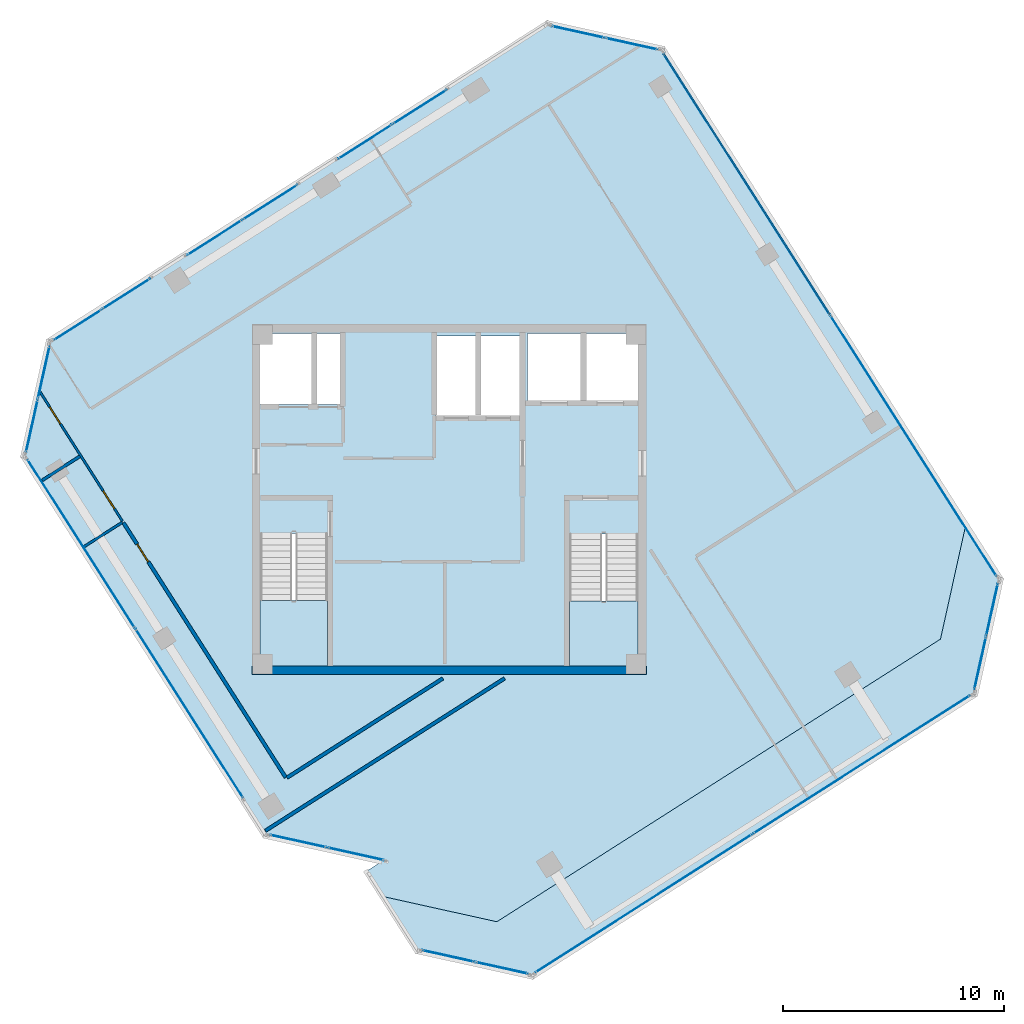
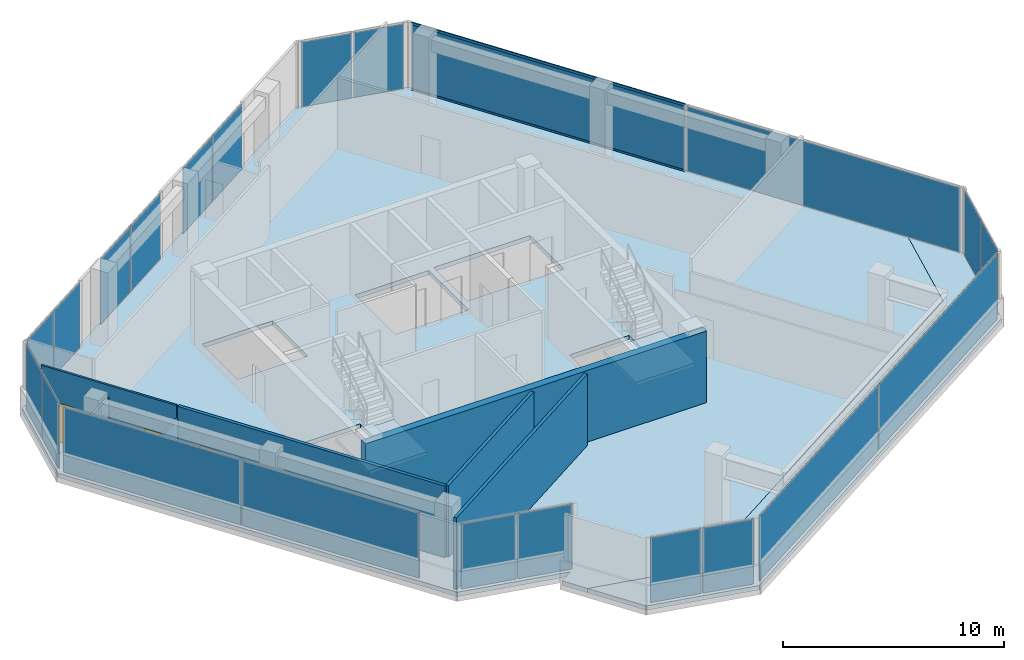
# One storey, part 10 of 15: 22 plates, 7 walls, 4 slabs, 3 doors, 2 members, 3 openings, 13 elements without a shape of their own.
"""IFC4 building model written with IfcOpenShell, lengths in metres."""

from ifc_helpers import new_model, si_unit, direction, frame, frame_2d, origin, origin_2d, place, context, subcontext, project, spatial, polyline, rectangle, hollow_rectangle, outline, extrude, source, transform, mapped, material, layer, layer_set, material_profile, profile_set, type_object, element, fill, aggregate, save


model = new_model("IFC4")

# Units and contexts
model_context = context("Model", 3, precision=1e-05, world=origin(), true_north=direction((0.0, 1.0)))
body_context = subcontext(model_context, "Body", "Model", "MODEL_VIEW")
ifc_project = project(units=[si_unit("LENGTHUNIT", "METRE"), si_unit("AREAUNIT", "SQUARE_METRE"), si_unit("VOLUMEUNIT", "CUBIC_METRE"), si_unit("PLANEANGLEUNIT", "RADIAN"), si_unit("MASSUNIT", "GRAM", prefix="KILO")], contexts=[model_context])

# Site, building, storey
site_placement = place(None, origin())
site = spatial("IfcSite", under=ifc_project, at=site_placement, CompositionType="ELEMENT")
building_placement = place(site_placement, origin())
building = spatial("IfcBuilding", under=site, at=building_placement, Name="Torre Montelarca", CompositionType="ELEMENT")
storey_placement = place(building_placement, frame((0.0, 0.0, 311.39990234375)))
storey = spatial("IfcBuildingStorey", under=building, at=storey_placement, Name="L70", CompositionType="ELEMENT", Elevation=311.39990234375)

# Curtain wall, members
ifc_material_1 = material(Name="Insulated low-E laminated glass", Category="glass")
curtain_wall_type = type_object("IfcCurtainWallType", Name="CW-SYS-Z4", PredefinedType="USERDEFINED", material=ifc_material_1)
curtain_wall_1_placement = place(storey_placement, origin())
curtain_wall_1 = element("IfcCurtainWall", 1, at=curtain_wall_1_placement, inside=storey, type_object=curtain_wall_type, Name="L70 Curtain Wall Run CW-T3-L70-E08-B1", ObjectType="UNITISED GLAZING", PredefinedType="USERDEFINED")
ifc_material_2 = material(Name="Anodised aluminium AA 6063-T6", Category="aluminium")
ifc_material_profile = material_profile(ifc_material_2, hollow_rectangle(XDim=0.06494140625, YDim=0.139892578125, WallThickness=0.00390625, InnerFilletRadius=0.00390625, OuterFilletRadius=0.008056640625, at=origin_2d()), Name="ALU65X140X4", Category="aluminium")
ifc_profile_set = profile_set([ifc_material_profile], Name="Anodised aluminium AA 6063-T6")
member_type = type_object("IfcMemberType", Name="CWT-ALU140", PredefinedType="USERDEFINED", material=ifc_profile_set)
shared_shape_1 = source(origin(), body_context, "Body", "SweptSolid", [
    extrude(hollow_rectangle(XDim=0.06494140625, YDim=0.139892578125, WallThickness=0.00390625, InnerFilletRadius=0.00390625, OuterFilletRadius=0.008056640625, at=origin_2d()), origin(), (0.0, 0.0, 1.0), 13.971923828125),
])
member_1_placement = place(storey_placement, frame((35.22119140625, 40.370849609375, 0.03271484375), z_axis=(-0.537301681446, 0.843390125099, 0.0), x_axis=(-0.843390125099, -0.537301681446, 0.0)))
member_1 = element("IfcMember", 2, at=member_1_placement, type_object=member_type, Name="CW transom 2.1", ObjectType="TRANSOM", PredefinedType="USERDEFINED", context=body_context, shape_type="MappedRepresentation", body=[
    mapped(shared_shape_1, transform((0.0, 0.0, 0.0), scale=1.0)),
])
member_2_placement = place(storey_placement, frame((35.22119140625, 40.370849609375, 3.6875), z_axis=(-0.537301681446, 0.843390125099, 0.0), x_axis=(-0.843390125099, -0.537301681446, 0.0)))
member_2 = element("IfcMember", 3, at=member_2_placement, type_object=member_type, Name="CW transom 2.2", ObjectType="TRANSOM", PredefinedType="USERDEFINED", context=body_context, shape_type="MappedRepresentation", body=[
    mapped(shared_shape_1, transform((0.0, 0.0, 0.0), scale=1.0)),
])

# Slabs
ifc_material_3 = material(Name="Concrete C40/50", Category="concrete")
ifc_layer_1 = layer(ifc_material_3, 0.239990234375, Name="Concrete C40/50", Category="concrete")
ifc_layer_set_1 = layer_set([ifc_layer_1], Name="Concrete C40/50")
slab_type_1 = type_object("IfcSlabType", Name="SL-FLR-240", PredefinedType="FLOOR", material=ifc_layer_set_1)
slab_1_placement = place(storey_placement, frame((0.0, 0.0, -0.239990234375)))
element("IfcSlab", 4, at=slab_1_placement, inside=storey, type_object=slab_type_1, Name="L70 Structural Floor Slab", PredefinedType="FLOOR", context=body_context, shape_type="SweptSolid", body=[
    extrude(outline(polyline([(9.642578125, 16.739013671875), (14.889404296875, 15.575927734375), (14.214599609375, 15.14599609375), (14.9130859375, 14.0498046875), (20.159912109375, 12.88671875), (40.232421875, 25.67431640625), (41.3955078125, 30.9208984375), (27.694580078125, 52.427490234375), (22.447998046875, 53.590576171875), (-0.155029296875, 39.19091796875), (-1.318115234375, 33.9443359375), (9.642578125, 16.739013671875)]), holes=[polyline([(26.550048828125, 24.449951171875), (23.43994140625, 24.449951171875), (23.43994140625, 30.429931640625), (26.550048828125, 30.429931640625), (26.550048828125, 24.449951171875)]), polyline([(12.5, 24.449951171875), (9.449951171875, 24.449951171875), (9.449951171875, 30.4599609375), (12.5, 30.4599609375), (12.5, 24.449951171875)]), polyline([(21.25, 39.39990234375), (21.25, 35.800048828125), (17.39990234375, 35.800048828125), (17.39990234375, 39.39990234375), (21.25, 39.39990234375)]), polyline([(13.1201171875, 36.300048828125), (9.449951171875, 36.300048828125), (9.449951171875, 39.5), (13.1201171875, 39.5), (13.1201171875, 36.300048828125)]), polyline([(26.60009765625, 36.449951171875), (21.550048828125, 36.449951171875), (21.550048828125, 39.5), (26.60009765625, 39.5), (26.60009765625, 36.449951171875)])]), origin(), (0.0, 0.0, 1.0), 0.239990234375),
])
slab_2_placement = place(storey_placement, frame((0.0, 0.0, -0.239990234375)))
element("IfcSlab", 5, at=slab_2_placement, inside=storey, type_object=slab_type_1, Name="L70 Sliding Tray Winter Garden Floor Slab E1", PredefinedType="FLOOR", context=body_context, shape_type="SweptSolid", body=[
    extrude(outline(polyline([(41.3955078125, 30.9208984375), (40.232421875, 25.67431640625), (20.159912109375, 12.88671875), (14.9130859375, 14.0498046875), (16.52490234375, 11.51953125), (21.771728515625, 10.3564453125), (41.844482421875, 23.14404296875), (43.007568359375, 28.390625), (41.3955078125, 30.9208984375)])), origin(), (0.0, 0.0, 1.0), 0.239990234375),
])

# Stair, slab
stair_type_1 = type_object("IfcStairType", Name="ST-CORE-ST1", PredefinedType="HALF_TURN_STAIR", material=ifc_material_3)
stair_1_placement = place(storey_placement, origin())
stair_1 = element("IfcStair", 6, at=stair_1_placement, inside=storey, type_object=stair_type_1, Name="L70 Protected Exit Stair ST1", PredefinedType="HALF_TURN_STAIR")
ifc_layer_2 = layer(ifc_material_3, 0.199951171875, Name="Concrete C40/50", Category="concrete")
ifc_layer_set_2 = layer_set([ifc_layer_2], Name="Concrete C40/50")
slab_type_2 = type_object("IfcSlabType", Name="SL-ST-LAND-ST1", PredefinedType="LANDING", material=ifc_layer_set_2)
slab_3_placement = place(storey_placement, frame((0.0, 0.0, 1.900146484375)))
slab_3 = element("IfcSlab", 7, at=slab_3_placement, type_object=slab_type_2, Name="ST1 landing 1", PredefinedType="LANDING", context=body_context, shape_type="SweptSolid", body=[
    extrude(outline(polyline([(9.449951171875, 27.419921875), (9.449951171875, 24.449951171875), (12.5, 24.449951171875), (12.5, 27.419921875), (9.449951171875, 27.419921875)])), origin(), (0.0, 0.0, 1.0), 0.199951171875),
])
aggregate(stair_1, [slab_3])

stair_type_2 = type_object("IfcStairType", Name="ST-CORE-ST2", PredefinedType="HALF_TURN_STAIR", material=ifc_material_3)
stair_2_placement = place(storey_placement, origin())
stair_2 = element("IfcStair", 8, at=stair_2_placement, inside=storey, type_object=stair_type_2, Name="L70 Protected Exit Stair ST2", PredefinedType="HALF_TURN_STAIR")
ifc_layer_3 = layer(ifc_material_3, 0.199951171875, Name="Concrete C40/50", Category="concrete")
ifc_layer_set_3 = layer_set([ifc_layer_3], Name="Concrete C40/50")
slab_type_3 = type_object("IfcSlabType", Name="SL-ST-LAND-ST2", PredefinedType="LANDING", material=ifc_layer_set_3)
slab_4_placement = place(storey_placement, frame((0.0, 0.0, 1.900146484375)))
slab_4 = element("IfcSlab", 9, at=slab_4_placement, type_object=slab_type_3, Name="ST2 landing 1", PredefinedType="LANDING", context=body_context, shape_type="SweptSolid", body=[
    extrude(outline(polyline([(23.43994140625, 27.389892578125), (23.43994140625, 24.449951171875), (26.550048828125, 24.449951171875), (26.550048828125, 27.389892578125), (23.43994140625, 27.389892578125)])), origin(), (0.0, 0.0, 1.0), 0.199951171875),
])
aggregate(stair_2, [slab_4])

# Curtain wall, plates
curtain_wall_2_placement = place(storey_placement, origin())
curtain_wall_2 = element("IfcCurtainWall", 10, at=curtain_wall_2_placement, inside=storey, type_object=curtain_wall_type, Name="L70 Curtain Wall Run CW-T3-L70-E02-B1", ObjectType="UNITISED GLAZING", PredefinedType="USERDEFINED")
ifc_layer_4 = layer(ifc_material_1, 0.035888671875, Name="Insulated low-E laminated glass", Category="glass")
ifc_layer_set_4 = layer_set([ifc_layer_4], Name="Insulated low-E laminated glass")
plate_type = type_object("IfcPlateType", Name="CWP-GLZ-36", PredefinedType="CURTAIN_PANEL", material=ifc_layer_set_4)
shared_shape_2 = source(origin(), body_context, "Body", "SweptSolid", [
    extrude(rectangle(XDim=2.592529296875, YDim=0.035888671875, at=origin_2d()), origin(), (0.0, 0.0, 1.0), 3.590087890625),
])
plate_1_placement = place(storey_placement, frame((11.17138671875, 16.533447265625, 0.06494140625), z_axis=(0.0, 0.0, 1.0), x_axis=(0.976293931856, -0.216448974638, 0.0)))
plate_1 = element("IfcPlate", 11, at=plate_1_placement, type_object=plate_type, Name="CW panel 1.1", PredefinedType="CURTAIN_PANEL", context=body_context, shape_type="MappedRepresentation", body=[
    mapped(shared_shape_2, transform((0.0, 0.0, 0.0), scale=1.0)),
])
plate_2_placement = place(storey_placement, frame((13.775634765625, 15.9560546875, 0.06494140625), z_axis=(0.0, 0.0, 1.0), x_axis=(0.976293931856, -0.216448974638, 0.0)))
plate_2 = element("IfcPlate", 12, at=plate_2_placement, type_object=plate_type, Name="CW panel 2.1", PredefinedType="CURTAIN_PANEL", context=body_context, shape_type="MappedRepresentation", body=[
    mapped(shared_shape_2, transform((0.0, 0.0, 0.0), scale=1.0)),
])
aggregate(curtain_wall_2, [plate_1, plate_2])

curtain_wall_3_placement = place(storey_placement, origin())
curtain_wall_3 = element("IfcCurtainWall", 13, at=curtain_wall_3_placement, inside=storey, type_object=curtain_wall_type, Name="L70 Curtain Wall Run CW-T3-L70-E05-B1", ObjectType="UNITISED GLAZING", PredefinedType="USERDEFINED")
shared_shape_3 = source(origin(), body_context, "Body", "SweptSolid", [
    extrude(rectangle(XDim=2.40869140625, YDim=0.035888671875, at=origin_2d()), origin(), (0.0, 0.0, 1.0), 3.590087890625),
])
plate_3_placement = place(storey_placement, frame((17.964111328125, 11.333740234375, 0.06494140625), z_axis=(0.0, 0.0, 1.0), x_axis=(0.976296125468, -0.216439080105, 0.0)))
plate_3 = element("IfcPlate", 14, at=plate_3_placement, type_object=plate_type, Name="CW panel 1.1", PredefinedType="CURTAIN_PANEL", context=body_context, shape_type="MappedRepresentation", body=[
    mapped(shared_shape_3, transform((0.0, 0.0, 0.0), scale=1.0)),
])
plate_4_placement = place(storey_placement, frame((20.388916015625, 10.796142578125, 0.06494140625), z_axis=(0.0, 0.0, 1.0), x_axis=(0.976296125468, -0.216439080105, 0.0)))
plate_4 = element("IfcPlate", 15, at=plate_4_placement, type_object=plate_type, Name="CW panel 2.1", PredefinedType="CURTAIN_PANEL", context=body_context, shape_type="MappedRepresentation", body=[
    mapped(shared_shape_3, transform((0.0, 0.0, 0.0), scale=1.0)),
])
aggregate(curtain_wall_3, [plate_3, plate_4])

curtain_wall_4_placement = place(storey_placement, origin())
curtain_wall_4 = element("IfcCurtainWall", 16, at=curtain_wall_4_placement, inside=storey, type_object=curtain_wall_type, Name="L70 Curtain Wall Run CW-T3-L70-E07-B1", ObjectType="UNITISED GLAZING", PredefinedType="USERDEFINED")
plate_5_placement = place(storey_placement, frame((42.0302734375, 24.583251953125, 0.06494140625), z_axis=(0.0, 0.0, 1.0), x_axis=(0.216443270716, 0.976295196425, 0.0)))
plate_5 = element("IfcPlate", 17, at=plate_5_placement, type_object=plate_type, Name="CW panel 1.1", PredefinedType="CURTAIN_PANEL", context=body_context, shape_type="MappedRepresentation", body=[
    mapped(shared_shape_3, transform((0.0, 0.0, 0.0), scale=1.0)),
])
plate_6_placement = place(storey_placement, frame((42.56787109375, 27.008056640625, 0.06494140625), z_axis=(0.0, 0.0, 1.0), x_axis=(0.216443270716, 0.976295196425, 0.0)))
plate_6 = element("IfcPlate", 18, at=plate_6_placement, type_object=plate_type, Name="CW panel 2.1", PredefinedType="CURTAIN_PANEL", context=body_context, shape_type="MappedRepresentation", body=[
    mapped(shared_shape_3, transform((0.0, 0.0, 0.0), scale=1.0)),
])
aggregate(curtain_wall_4, [plate_5, plate_6])

curtain_wall_5_placement = place(storey_placement, origin())
curtain_wall_5 = element("IfcCurtainWall", 19, at=curtain_wall_5_placement, inside=storey, type_object=curtain_wall_type, Name="L70 Curtain Wall Run CW-T3-L70-E09-B1", ObjectType="UNITISED GLAZING", PredefinedType="USERDEFINED")
plate_7_placement = place(storey_placement, frame((26.25537109375, 52.61328125, 0.06494140625), z_axis=(0.0, 0.0, 1.0), x_axis=(-0.976295196425, 0.216443270716, 0.0)))
plate_7 = element("IfcPlate", 20, at=plate_7_placement, type_object=plate_type, Name="CW panel 1.1", PredefinedType="CURTAIN_PANEL", context=body_context, shape_type="MappedRepresentation", body=[
    mapped(shared_shape_3, transform((0.0, 0.0, 0.0), scale=1.0)),
])
plate_8_placement = place(storey_placement, frame((23.83056640625, 53.15087890625, 0.06494140625), z_axis=(0.0, 0.0, 1.0), x_axis=(-0.976295196425, 0.216443270716, 0.0)))
plate_8 = element("IfcPlate", 21, at=plate_8_placement, type_object=plate_type, Name="CW panel 2.1", PredefinedType="CURTAIN_PANEL", context=body_context, shape_type="MappedRepresentation", body=[
    mapped(shared_shape_3, transform((0.0, 0.0, 0.0), scale=1.0)),
])
aggregate(curtain_wall_5, [plate_7, plate_8])

curtain_wall_6_placement = place(storey_placement, origin())
curtain_wall_6 = element("IfcCurtainWall", 22, at=curtain_wall_6_placement, inside=storey, type_object=curtain_wall_type, Name="L70 Curtain Wall Run CW-T3-L70-E11-B1", ObjectType="UNITISED GLAZING", PredefinedType="USERDEFINED")
plate_9_placement = place(storey_placement, frame((-0.3408203125, 37.751953125, 0.06494140625), z_axis=(0.0, 0.0, 1.0), x_axis=(-0.216462173228, -0.976291005572, 0.0)))
plate_9 = element("IfcPlate", 23, at=plate_9_placement, type_object=plate_type, Name="CW panel 1.1", PredefinedType="CURTAIN_PANEL", context=body_context, shape_type="MappedRepresentation", body=[
    mapped(shared_shape_3, transform((0.0, 0.0, 0.0), scale=1.0)),
])
plate_10_placement = place(storey_placement, frame((-0.87841796875, 35.3271484375, 0.06494140625), z_axis=(0.0, 0.0, 1.0), x_axis=(-0.216462173228, -0.976291005572, 0.0)))
plate_10 = element("IfcPlate", 24, at=plate_10_placement, type_object=plate_type, Name="CW panel 2.1", PredefinedType="CURTAIN_PANEL", context=body_context, shape_type="MappedRepresentation", body=[
    mapped(shared_shape_3, transform((0.0, 0.0, 0.0), scale=1.0)),
])
aggregate(curtain_wall_6, [plate_9, plate_10])

# Plate
shared_shape_4 = source(origin(), body_context, "Body", "SweptSolid", [
    extrude(rectangle(XDim=13.9716796875, YDim=0.035888671875, at=origin_2d()), origin(), (0.0, 0.0, 1.0), 3.590087890625),
])
plate_11_placement = place(storey_placement, frame((39.014892578125, 34.415771484375, 0.06494140625), z_axis=(0.0, 0.0, 1.0), x_axis=(-0.537300159197, 0.843391094882, 0.0)))
plate_11 = element("IfcPlate", 25, at=plate_11_placement, type_object=plate_type, Name="CW panel 1.1", PredefinedType="CURTAIN_PANEL", context=body_context, shape_type="MappedRepresentation", body=[
    mapped(shared_shape_4, transform((0.0, 0.0, 0.0), scale=1.0)),
])

plate_12_placement = place(storey_placement, frame((31.4677734375, 46.2626953125, 0.06494140625), z_axis=(0.0, 0.0, 1.0), x_axis=(-0.537300159197, 0.843391094882, 0.0)))
plate_12 = element("IfcPlate", 26, at=plate_12_placement, type_object=plate_type, Name="CW panel 2.1", PredefinedType="CURTAIN_PANEL", context=body_context, shape_type="MappedRepresentation", body=[
    mapped(shared_shape_4, transform((0.0, 0.0, 0.0), scale=1.0)),
])

aggregate(curtain_wall_1, [plate_11, member_1, member_2, plate_12])

# Curtain wall, plates
curtain_wall_7_placement = place(storey_placement, origin())
curtain_wall_7 = element("IfcCurtainWall", 27, at=curtain_wall_7_placement, inside=storey, type_object=curtain_wall_type, Name="L70 Curtain Wall Run CW-T3-L70-E06-B1", ObjectType="UNITISED GLAZING", PredefinedType="USERDEFINED")
shared_shape_5 = source(origin(), body_context, "Body", "SweptSolid", [
    extrude(rectangle(XDim=11.62158203125, YDim=0.035888671875, at=origin_2d()), origin(), (0.0, 0.0, 1.0), 3.590087890625),
])
plate_13_placement = place(storey_placement, frame((26.8056640625, 13.717529296875, 0.06494140625), z_axis=(0.0, 0.0, 1.0), x_axis=(0.84339012646, 0.537301679311, 0.0)))
plate_13 = element("IfcPlate", 28, at=plate_13_placement, type_object=plate_type, Name="CW panel 1.1", PredefinedType="CURTAIN_PANEL", context=body_context, shape_type="MappedRepresentation", body=[
    mapped(shared_shape_5, transform((0.0, 0.0, 0.0), scale=1.0)),
])
plate_14_placement = place(storey_placement, frame((36.670654296875, 20.002197265625, 0.06494140625), z_axis=(0.0, 0.0, 1.0), x_axis=(0.84339012646, 0.537301679311, 0.0)))
plate_14 = element("IfcPlate", 29, at=plate_14_placement, type_object=plate_type, Name="CW panel 2.1", PredefinedType="CURTAIN_PANEL", context=body_context, shape_type="MappedRepresentation", body=[
    mapped(shared_shape_5, transform((0.0, 0.0, 0.0), scale=1.0)),
])
aggregate(curtain_wall_7, [plate_13, plate_14])

curtain_wall_8_placement = place(storey_placement, origin())
curtain_wall_8 = element("IfcCurtainWall", 30, at=curtain_wall_8_placement, inside=storey, type_object=curtain_wall_type, Name="L70 Curtain Wall Run CW-T3-L70-E01-B1", ObjectType="UNITISED GLAZING", PredefinedType="USERDEFINED")
shared_shape_6 = source(origin(), body_context, "Body", "SweptSolid", [
    extrude(rectangle(XDim=9.03955078125, YDim=0.035888671875, at=origin_2d()), origin(), (0.0, 0.0, 1.0), 3.590087890625),
])
plate_15_placement = place(storey_placement, frame((1.349365234375, 29.9990234375, 0.06494140625), z_axis=(0.0, 0.0, 1.0), x_axis=(0.537302100919, -0.843389857864, 0.0)))
plate_15 = element("IfcPlate", 31, at=plate_15_placement, type_object=plate_type, Name="CW panel 1.1", PredefinedType="CURTAIN_PANEL", context=body_context, shape_type="MappedRepresentation", body=[
    mapped(shared_shape_6, transform((0.0, 0.0, 0.0), scale=1.0)),
])
plate_16_placement = place(storey_placement, frame((6.24658203125, 22.31201171875, 0.06494140625), z_axis=(0.0, 0.0, 1.0), x_axis=(0.537302100919, -0.843389857864, 0.0)))
plate_16 = element("IfcPlate", 32, at=plate_16_placement, type_object=plate_type, Name="CW panel 2.1", PredefinedType="CURTAIN_PANEL", context=body_context, shape_type="MappedRepresentation", body=[
    mapped(shared_shape_6, transform((0.0, 0.0, 0.0), scale=1.0)),
])
aggregate(curtain_wall_8, [plate_15, plate_16])

curtain_wall_9_placement = place(storey_placement, origin())
curtain_wall_9 = element("IfcCurtainWall", 33, at=curtain_wall_9_placement, inside=storey, type_object=curtain_wall_type, Name="L70 Curtain Wall Run CW-T3-L70-E10-B1", ObjectType="UNITISED GLAZING", PredefinedType="USERDEFINED")
shared_shape_7 = source(origin(), body_context, "Body", "SweptSolid", [
    extrude(rectangle(XDim=2.857421875, YDim=0.035888671875, at=origin_2d()), origin(), (0.0, 0.0, 1.0), 3.590087890625),
])
plate_17_placement = place(storey_placement, frame((16.669921875, 49.75537109375, 0.06494140625), z_axis=(0.0, 0.0, 1.0), x_axis=(-0.84339103329, -0.537300255878, 0.0)))
plate_17 = element("IfcPlate", 34, at=plate_17_placement, type_object=plate_type, Name="CW panel 1.1", PredefinedType="CURTAIN_PANEL", context=body_context, shape_type="MappedRepresentation", body=[
    mapped(shared_shape_7, transform((0.0, 0.0, 0.0), scale=1.0)),
])
plate_18_placement = place(storey_placement, frame((14.196533203125, 48.1796875, 0.06494140625), z_axis=(0.0, 0.0, 1.0), x_axis=(-0.84339103329, -0.537300255878, 0.0)))
plate_18 = element("IfcPlate", 35, at=plate_18_placement, type_object=plate_type, Name="CW panel 2.1", PredefinedType="CURTAIN_PANEL", context=body_context, shape_type="MappedRepresentation", body=[
    mapped(shared_shape_7, transform((0.0, 0.0, 0.0), scale=1.0)),
])
aggregate(curtain_wall_9, [plate_17, plate_18])

curtain_wall_10_placement = place(storey_placement, origin())
curtain_wall_10 = element("IfcCurtainWall", 36, at=curtain_wall_10_placement, inside=storey, type_object=curtain_wall_type, Name="L70 Curtain Wall Run CW-T3-L70-E10-B2", ObjectType="UNITISED GLAZING", PredefinedType="USERDEFINED")
shared_shape_8 = source(origin(), body_context, "Body", "SweptSolid", [
    extrude(rectangle(XDim=2.907470703125, YDim=0.035888671875, at=origin_2d()), origin(), (0.0, 0.0, 1.0), 3.590087890625),
])
plate_19_placement = place(storey_placement, frame((9.901611328125, 45.443603515625, 0.06494140625), z_axis=(0.0, 0.0, 1.0), x_axis=(-0.843391416967, -0.537299653625, 0.0)))
plate_19 = element("IfcPlate", 37, at=plate_19_placement, type_object=plate_type, Name="CW panel 1.1", PredefinedType="CURTAIN_PANEL", context=body_context, shape_type="MappedRepresentation", body=[
    mapped(shared_shape_8, transform((0.0, 0.0, 0.0), scale=1.0)),
])
plate_20_placement = place(storey_placement, frame((7.38623046875, 43.841064453125, 0.06494140625), z_axis=(0.0, 0.0, 1.0), x_axis=(-0.843391416967, -0.537299653625, 0.0)))
plate_20 = element("IfcPlate", 38, at=plate_20_placement, type_object=plate_type, Name="CW panel 2.1", PredefinedType="CURTAIN_PANEL", context=body_context, shape_type="MappedRepresentation", body=[
    mapped(shared_shape_8, transform((0.0, 0.0, 0.0), scale=1.0)),
])
aggregate(curtain_wall_10, [plate_19, plate_20])

curtain_wall_11_placement = place(storey_placement, origin())
curtain_wall_11 = element("IfcCurtainWall", 39, at=curtain_wall_11_placement, inside=storey, type_object=curtain_wall_type, Name="L70 Curtain Wall Run CW-T3-L70-E10-B3", ObjectType="UNITISED GLAZING", PredefinedType="USERDEFINED")
shared_shape_9 = source(origin(), body_context, "Body", "SweptSolid", [
    extrude(rectangle(XDim=2.53955078125, YDim=0.035888671875, at=origin_2d()), origin(), (0.0, 0.0, 1.0), 3.590087890625),
])
plate_21_placement = place(storey_placement, frame((3.39404296875, 41.297607421875, 0.06494140625), z_axis=(0.0, 0.0, 1.0), x_axis=(-0.843394334463, -0.537295074047, 0.0)))
plate_21 = element("IfcPlate", 40, at=plate_21_placement, type_object=plate_type, Name="CW panel 1.1", PredefinedType="CURTAIN_PANEL", context=body_context, shape_type="MappedRepresentation", body=[
    mapped(shared_shape_9, transform((0.0, 0.0, 0.0), scale=1.0)),
])
plate_22_placement = place(storey_placement, frame((1.18896484375, 39.892822265625, 0.06494140625), z_axis=(0.0, 0.0, 1.0), x_axis=(-0.843394334463, -0.537295074047, 0.0)))
plate_22 = element("IfcPlate", 41, at=plate_22_placement, type_object=plate_type, Name="CW panel 2.1", PredefinedType="CURTAIN_PANEL", context=body_context, shape_type="MappedRepresentation", body=[
    mapped(shared_shape_9, transform((0.0, 0.0, 0.0), scale=1.0)),
])
aggregate(curtain_wall_11, [plate_21, plate_22])

# Wall
ifc_layer_5 = layer(ifc_material_3, 0.3798828125, Name="Concrete C40/50", Category="concrete")
ifc_layer_set_5 = layer_set([ifc_layer_5], Name="Concrete C40/50")
wall_type_1 = type_object("IfcWallType", Name="CW-SHEAR-380", PredefinedType="SHEAR", material=ifc_layer_set_5)
wall_1_placement = place(storey_placement, frame((9.070068359375, 24.260009765625, 0.0), z_axis=(0.0, 0.0, 1.0), x_axis=(1.0, 0.0, 0.0)))
element("IfcWall", 42, at=wall_1_placement, inside=storey, type_object=wall_type_1, Name="L70 Core Shear Wall CW-S1", PredefinedType="SHEAR", context=body_context, shape_type="SweptSolid", body=[
    extrude(rectangle(XDim=17.85986328125, YDim=0.3798828125, at=frame_2d((8.929931640625, 0.0))), origin(), (0.0, 0.0, 1.0), 3.960205078125),
])

# Wall, opening, door
ifc_material_4 = material(Name="Gypsum plasterboard on steel stud", Category="steel")
ifc_layer_6 = layer(ifc_material_4, 0.159912109375, Name="Gypsum plasterboard on steel stud", Category="steel")
ifc_layer_set_6 = layer_set([ifc_layer_6], Name="Gypsum plasterboard on steel stud")
wall_type_2 = type_object("IfcWallType", Name="PW-FIRE-160", PredefinedType="PARTITIONING", material=ifc_layer_set_6)
wall_2_placement = place(storey_placement, frame((3.260498046875, 30.944580078125, 0.0), z_axis=(0.0, 0.0, 1.0), x_axis=(0.537307625317, -0.843386338386, 0.0)))
wall_2 = element("IfcWall", 43, at=wall_2_placement, inside=storey, type_object=wall_type_2, Name="L70 Interior Partition W-L70-SOCCN", PredefinedType="PARTITIONING", context=body_context, shape_type="SweptSolid", body=[
    extrude(rectangle(XDim=13.669921875, YDim=0.159912109375, at=frame_2d((6.8349609375, 0.0))), origin(), (0.0, 0.0, 1.0), 3.960205078125),
])
opening_1_placement = place(wall_2_placement, frame((1.14990234375, 0.0, 0.0)))
opening_1 = element("IfcOpeningElement", 44, at=opening_1_placement, cuts=wall_2, Name="Opening FD-095", PredefinedType="OPENING", context=body_context, shape_type="SweptSolid", body=[
    extrude(rectangle(XDim=0.949951171875, YDim=2.14990234375, at=frame_2d((0.47509765625, 1.074951171875))), frame((0.0, 0.08984375, 0.0), z_axis=(0.0, -1.0, 0.0), x_axis=(1.0, 0.0, 0.0)), (0.0, 0.0, 1.0), 0.179931640625),
])
ifc_material_5 = material(Name="Timber fire-rated room door", Category="wood")
door_type_1 = type_object("IfcDoorType", Name="DR-FIRE-095", OperationType="NOTDEFINED", PredefinedType="DOOR", material=ifc_material_5)
shared_shape_10 = source(origin(), body_context, "Body", "SweptSolid", [
    extrude(rectangle(XDim=0.949951171875, YDim=2.14990234375, at=frame_2d((0.47509765625, 1.074951171875))), frame((0.0, 0.02490234375, 0.0), z_axis=(0.0, -1.0, 0.0), x_axis=(1.0, 0.0, 0.0)), (0.0, 0.0, 1.0), 0.050048828125),
])
door_1_placement = place(opening_1_placement, origin())
door_1 = element("IfcDoor", 45, at=door_1_placement, inside=storey, type_object=door_type_1, Name="L70 Interior Door 07", OperationType="SINGLE_SWING_RIGHT", OverallHeight=2.14990234375, OverallWidth=0.949951171875, PredefinedType="DOOR", context=body_context, shape_type="MappedRepresentation", body=[
    mapped(shared_shape_10, transform((0.0, 0.0, 0.0), scale=1.0)),
])
fill(opening_1, door_1)

# Walls
wall_3_placement = place(storey_placement, frame((10.66064453125, 19.4033203125, 0.0), z_axis=(0.0, 0.0, 1.0), x_axis=(0.843399441764, 0.537287057012, 0.0)))
element("IfcWall", 46, at=wall_3_placement, inside=storey, type_object=wall_type_2, Name="L70 Interior Partition W-L70-SOCCW3", PredefinedType="PARTITIONING", context=body_context, shape_type="SweptSolid", body=[
    extrude(rectangle(XDim=8.3662109375, YDim=0.159912109375, at=frame_2d((4.18310546875, 0.0))), origin(), (0.0, 0.0, 1.0), 3.960205078125),
])
wall_4_placement = place(storey_placement, frame((9.68701171875, 17.00439453125, 0.0), z_axis=(0.0, 0.0, 1.0), x_axis=(0.843392646996, 0.537297722862, 0.0)))
element("IfcWall", 47, at=wall_4_placement, inside=storey, type_object=wall_type_2, Name="L70 Interior Partition W-L70-ECS", PredefinedType="PARTITIONING", context=body_context, shape_type="SweptSolid", body=[
    extrude(rectangle(XDim=12.8310546875, YDim=0.159912109375, at=frame_2d((6.41552734375, 0.0))), origin(), (0.0, 0.0, 1.0), 3.960205078125),
])

# Wall, openings, doors
ifc_material_6 = material(Name="Acoustic laminated glass partition", Category="glass")
ifc_layer_7 = layer(ifc_material_6, 0.10009765625, Name="Acoustic laminated glass partition", Category="glass")
ifc_layer_set_7 = layer_set([ifc_layer_7], Name="Acoustic laminated glass partition")
wall_type_3 = type_object("IfcWallType", Name="PW-GLAZ-100", PredefinedType="PARTITIONING", material=ifc_layer_set_7)
wall_5_placement = place(storey_placement, frame((-0.501708984375, 36.85009765625, 0.0), z_axis=(0.0, 0.0, 1.0), x_axis=(0.537309039539, -0.843385437407, 0.0)))
wall_5 = element("IfcWall", 48, at=wall_5_placement, inside=storey, type_object=wall_type_3, Name="L70 Interior Partition W-L70-WCN", PredefinedType="PARTITIONING", context=body_context, shape_type="SweptSolid", body=[
    extrude(rectangle(XDim=6.921875, YDim=0.10009765625, at=frame_2d((3.4609375, 0.0))), origin(), (0.0, 0.0, 1.0), 3.960205078125),
])
opening_2_placement = place(wall_5_placement, frame((0.800048828125, 0.0, 0.0)))
opening_2 = element("IfcOpeningElement", 49, at=opening_2_placement, cuts=wall_5, Name="Opening ID-090", PredefinedType="OPENING", context=body_context, shape_type="SweptSolid", body=[
    extrude(rectangle(XDim=0.89990234375, YDim=2.14990234375, at=frame_2d((0.449951171875, 1.074951171875))), frame((0.0, 0.06005859375, 0.0), z_axis=(0.0, -1.0, 0.0), x_axis=(1.0, 0.0, 0.0)), (0.0, 0.0, 1.0), 0.1201171875),
])
opening_3_placement = place(wall_5_placement, frame((5.300048828125, 0.0, 0.0)))
opening_3 = element("IfcOpeningElement", 50, at=opening_3_placement, cuts=wall_5, Name="Opening ID-095", PredefinedType="OPENING", context=body_context, shape_type="SweptSolid", body=[
    extrude(rectangle(XDim=0.949951171875, YDim=2.14990234375, at=frame_2d((0.47509765625, 1.074951171875))), frame((0.0, 0.06005859375, 0.0), z_axis=(0.0, -1.0, 0.0), x_axis=(1.0, 0.0, 0.0)), (0.0, 0.0, 1.0), 0.1201171875),
])
ifc_material_7 = material(Name="Hardwood acoustic timber veneer", Category="wood")
door_type_2 = type_object("IfcDoorType", Name="DR-INT-090", OperationType="NOTDEFINED", PredefinedType="DOOR", material=ifc_material_7)
shared_shape_11 = source(origin(), body_context, "Body", "SweptSolid", [
    extrude(rectangle(XDim=0.89990234375, YDim=2.14990234375, at=frame_2d((0.449951171875, 1.074951171875))), frame((0.0, 0.02490234375, 0.0), z_axis=(0.0, -1.0, 0.0), x_axis=(1.0, 0.0, 0.0)), (0.0, 0.0, 1.0), 0.050048828125),
])
door_2_placement = place(opening_2_placement, origin())
door_2 = element("IfcDoor", 51, at=door_2_placement, inside=storey, type_object=door_type_2, Name="L70 Interior Door 05", OperationType="SINGLE_SWING_LEFT", OverallHeight=2.14990234375, OverallWidth=0.89990234375, PredefinedType="DOOR", context=body_context, shape_type="MappedRepresentation", body=[
    mapped(shared_shape_11, transform((0.0, 0.0, 0.0), scale=1.0)),
])
fill(opening_2, door_2)
door_type_3 = type_object("IfcDoorType", Name="DR-INT-095", OperationType="NOTDEFINED", PredefinedType="DOOR", material=ifc_material_7)
shared_shape_12 = source(origin(), body_context, "Body", "SweptSolid", [
    extrude(rectangle(XDim=0.949951171875, YDim=2.14990234375, at=frame_2d((0.47509765625, 1.074951171875))), frame((0.0, 0.02490234375, 0.0), z_axis=(0.0, -1.0, 0.0), x_axis=(1.0, 0.0, 0.0)), (0.0, 0.0, 1.0), 0.050048828125),
])
door_3_placement = place(opening_3_placement, origin())
door_3 = element("IfcDoor", 52, at=door_3_placement, inside=storey, type_object=door_type_3, Name="L70 Interior Door 06", OperationType="SINGLE_SWING_RIGHT", OverallHeight=2.14990234375, OverallWidth=0.949951171875, PredefinedType="DOOR", context=body_context, shape_type="MappedRepresentation", body=[
    mapped(shared_shape_12, transform((0.0, 0.0, 0.0), scale=1.0)),
])
fill(opening_3, door_3)

# Walls
ifc_layer_8 = layer(ifc_material_4, 0.114990234375, Name="Gypsum plasterboard on steel stud", Category="steel")
ifc_layer_set_8 = layer_set([ifc_layer_8], Name="Gypsum plasterboard on steel stud")
wall_type_4 = type_object("IfcWallType", Name="PW-PART-115", PredefinedType="PARTITIONING", material=ifc_layer_set_8)
wall_6_placement = place(storey_placement, frame((1.4931640625, 29.8662109375, 0.0), z_axis=(0.0, 0.0, 1.0), x_axis=(0.843433611632, 0.537233415537, 0.0)))
element("IfcWall", 53, at=wall_6_placement, inside=storey, type_object=wall_type_4, Name="L70 Interior Partition W-L70-SWCDIV", PredefinedType="PARTITIONING", context=body_context, shape_type="SweptSolid", body=[
    extrude(rectangle(XDim=2.030029296875, YDim=0.114990234375, at=frame_2d((1.01513671875, 0.0))), origin(), (0.0, 0.0, 1.0), 3.295166015625),
])
ifc_layer_9 = layer(ifc_material_4, 0.135009765625, Name="Gypsum plasterboard on steel stud", Category="steel")
ifc_layer_set_9 = layer_set([ifc_layer_9], Name="Gypsum plasterboard on steel stud")
wall_type_5 = type_object("IfcWallType", Name="PW-PART-135", PredefinedType="PARTITIONING", material=ifc_layer_set_9)
wall_7_placement = place(storey_placement, frame((-0.414306640625, 32.8603515625, 0.0), z_axis=(0.0, 0.0, 1.0), x_axis=(0.843468317829, 0.5371789244, 0.0)))
element("IfcWall", 54, at=wall_7_placement, inside=storey, type_object=wall_type_5, Name="L70 Interior Partition W-L70-WCD", PredefinedType="PARTITIONING", context=body_context, shape_type="SweptSolid", body=[
    extrude(rectangle(XDim=2.0302734375, YDim=0.135009765625, at=frame_2d((1.01513671875, 0.0))), origin(), (0.0, 0.0, 1.0), 3.295166015625),
])

save(model, "model.ifc")
